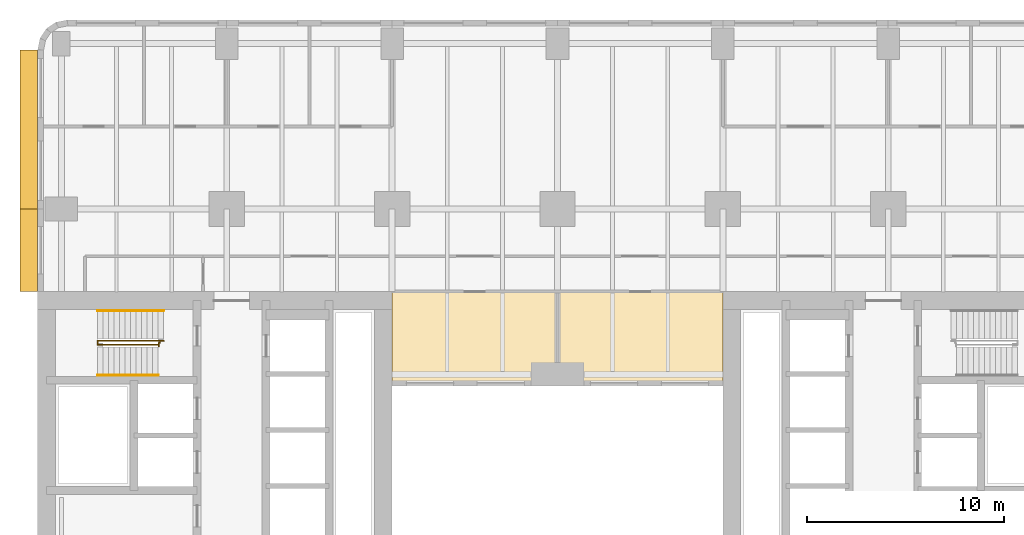
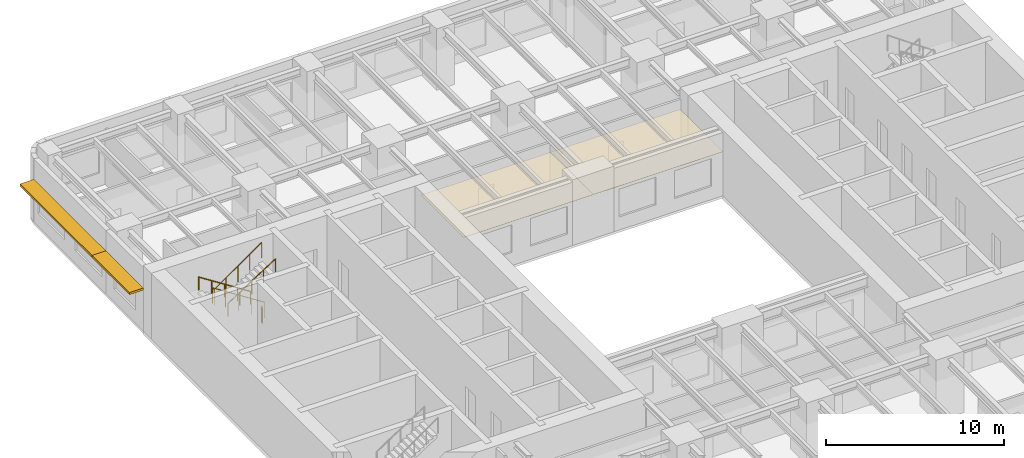
# One storey, part 12 of 14: 4 railings, 2 coverings, 2 shading devices.
"""IFC4 building model written with IfcOpenShell, lengths in metres."""

from ifc_helpers import new_model, si_unit, direction, frame, origin, origin_2d, place, context, subcontext, project, spatial, polyline, rectangle, circle, outline, extrude, material, layer, layer_set, type_object, element, save


model = new_model("IFC4")

# Units and contexts
model_context = context("Model", 3, precision=1e-05, world=origin(), true_north=direction((0.0, 1.0)))
body_context = subcontext(model_context, "Body", "Model", "MODEL_VIEW")
ifc_project = project(units=[si_unit("LENGTHUNIT", "METRE"), si_unit("AREAUNIT", "SQUARE_METRE"), si_unit("VOLUMEUNIT", "CUBIC_METRE"), si_unit("PLANEANGLEUNIT", "RADIAN"), si_unit("MASSUNIT", "GRAM", prefix="KILO")], contexts=[model_context])

# Site, building, storey
site_placement = place(None, origin())
site = spatial("IfcSite", under=ifc_project, at=site_placement, CompositionType="ELEMENT")
building_placement = place(site_placement, origin())
building = spatial("IfcBuilding", under=site, at=building_placement, Name="Claustro Exchange Tower", CompositionType="ELEMENT")
storey_placement = place(building_placement, frame((0.0, 0.0, 27.89990234375)))
storey = spatial("IfcBuildingStorey", under=building, at=storey_placement, Name="L06", CompositionType="ELEMENT", Elevation=27.89990234375)

# Coverings
ifc_material_1 = material(Name="Gypsum board ceiling", Category="gypsum board")
ifc_layer_1 = layer(ifc_material_1, 0.02490234375)
ifc_layer_set_1 = layer_set([ifc_layer_1], Name="Gypsum board ceiling")
covering_type = type_object("IfcCoveringType", Name="CL2 plasterboard ceiling", PredefinedType="CEILING", material=ifc_layer_set_1)
covering_1_placement = place(storey_placement, frame((0.0, 0.0, 3.0)))
element("IfcCovering", 1, at=covering_1_placement, inside=storey, type_object=covering_type, Name="Ceiling CL2 L06-11", PredefinedType="CEILING", context=body_context, shape_type="SweptSolid", body=[
    extrude(outline(polyline([(16.800048828125, 33.0), (25.199951171875, 33.0), (25.199951171875, 37.800048828125), (16.800048828125, 37.800048828125), (16.800048828125, 33.0)])), origin(), (0.0, 0.0, 1.0), 0.025146484375),
])
covering_2_placement = place(storey_placement, frame((0.0, 0.0, 3.0)))
element("IfcCovering", 2, at=covering_2_placement, inside=storey, type_object=covering_type, Name="Ceiling CL2 L06-12", PredefinedType="CEILING", context=body_context, shape_type="SweptSolid", body=[
    extrude(outline(polyline([(33.60009765625, 33.0), (33.60009765625, 37.800048828125), (25.199951171875, 37.800048828125), (25.199951171875, 33.0), (33.60009765625, 33.0)])), origin(), (0.0, 0.0, 1.0), 0.025146484375),
])

# Railings
ifc_material_2 = material(Name="Steel balustrade, painted", Category="steel")
railing_type_1 = type_object("IfcRailingType", Name="GR2 1100 steel stair guard", PredefinedType="GUARDRAIL", material=ifc_material_2)
railing_1_placement = place(storey_placement, frame((5.199951171875, 35.300048828125, 0.18017578125)))
element("IfcRailing", 3, at=railing_1_placement, inside=storey, type_object=railing_type_1, Name="Stair well guard GR2 stair STWB L06", PredefinedType="GUARDRAIL", context=body_context, shape_type="SweptSolid", body=[
    extrude(circle(Radius=0.02392578125, at=origin_2d()), frame((0.0, 0.0, 1.076171875), z_axis=(-0.841178475377, 0.0, 0.540757591313), x_axis=(0.0, -1.0, 0.0)), (0.0, 0.0, 1.0), 3.994140625),
    extrude(circle(Radius=0.02392578125, at=origin_2d()), frame((-3.35986328125, 0.0, 3.23583984375), z_axis=(0.0, -1.0, 0.0), x_axis=(1.0, 0.0, 0.0)), (0.0, 0.0, 1.0), 0.199951171875),
    extrude(circle(Radius=0.02392578125, at=origin_2d()), frame((-3.35986328125, -0.199951171875, 3.23583984375), z_axis=(0.818728512145, 0.0, 0.574180828137), x_axis=(0.0, 1.0, 0.0)), (0.0, 0.0, 1.0), 3.76171875),
    extrude(circle(Radius=0.02099609375, at=origin_2d()), origin(), (0.0, 0.0, 1.0), 1.052001953125),
    extrude(circle(Radius=0.02099609375, at=origin_2d()), frame((-0.83984375, 0.0, 0.5400390625)), (0.0, 0.0, 1.0), 1.052001953125),
    extrude(circle(Radius=0.02099609375, at=origin_2d()), frame((-1.679931640625, 0.0, 1.080078125)), (0.0, 0.0, 1.0), 1.052001953125),
    extrude(circle(Radius=0.02099609375, at=origin_2d()), frame((-2.52001953125, 0.0, 1.619873046875)), (0.0, 0.0, 1.0), 1.052001953125),
    extrude(circle(Radius=0.02099609375, at=origin_2d()), frame((-3.35986328125, 0.0, 2.159912109375)), (0.0, 0.0, 1.0), 1.052001953125),
    extrude(circle(Radius=0.02099609375, at=origin_2d()), frame((-3.35986328125, -0.199951171875, 2.159912109375)), (0.0, 0.0, 1.0), 1.052001953125),
    extrude(circle(Radius=0.02099609375, at=origin_2d()), frame((-2.58984375, -0.199951171875, 2.699951171875)), (0.0, 0.0, 1.0), 1.052001953125),
    extrude(circle(Radius=0.02099609375, at=origin_2d()), frame((-1.81982421875, -0.199951171875, 3.23974609375)), (0.0, 0.0, 1.0), 1.052001953125),
    extrude(circle(Radius=0.02099609375, at=origin_2d()), frame((-1.050048828125, -0.199951171875, 3.77978515625)), (0.0, 0.0, 1.0), 1.052001953125),
    extrude(circle(Radius=0.02099609375, at=origin_2d()), frame((-0.280029296875, -0.199951171875, 4.31982421875)), (0.0, 0.0, 1.0), 1.052001953125),
])
railing_2_placement = place(storey_placement, frame((5.0, 35.22998046875, 0.0)))
element("IfcRailing", 4, at=railing_2_placement, inside=storey, type_object=railing_type_1, Name="Stair guard GR2 STWB L06", PredefinedType="GUARDRAIL", context=body_context, shape_type="SweptSolid", body=[
    extrude(circle(Radius=0.02392578125, at=origin_2d()), frame((0.0, 0.0, 1.076171875), z_axis=(0.0, -1.0, 0.0), x_axis=(1.0, 0.0, 0.0)), (0.0, 0.0, 1.0), 0.030029296875),
    extrude(circle(Radius=0.02392578125, at=origin_2d()), frame((0.0, -0.030029296875, 1.076171875), z_axis=(-1.0, 0.0, 0.0), x_axis=(0.0, -1.0, 0.0)), (0.0, 0.0, 1.0), 0.054931640625),
    extrude(circle(Radius=0.02392578125, at=origin_2d()), frame((-0.054931640625, -0.030029296875, 1.076171875), z_axis=(0.0, -1.0, 0.0), x_axis=(1.0, 0.0, 0.0)), (0.0, 0.0, 1.0), 0.179931640625),
    extrude(circle(Radius=0.02099609375, at=origin_2d()), origin(), (0.0, 0.0, 1.0), 1.052001953125),
    extrude(circle(Radius=0.02099609375, at=origin_2d()), frame((0.0, -0.030029296875, 0.0)), (0.0, 0.0, 1.0), 1.052001953125),
    extrude(circle(Radius=0.02099609375, at=origin_2d()), frame((-0.054931640625, -0.030029296875, 0.0)), (0.0, 0.0, 1.0), 1.052001953125),
    extrude(circle(Radius=0.02099609375, at=origin_2d()), frame((-0.054931640625, -0.2099609375, 0.0)), (0.0, 0.0, 1.0), 1.052001953125),
])
ifc_material_3 = material(Name="Stainless steel tube", Category="steel")
railing_type_2 = type_object("IfcRailingType", Name="HR1 900 stair handrail", PredefinedType="HANDRAIL", material=ifc_material_3)
railing_3_placement = place(storey_placement, frame((5.199951171875, 36.840087890625, 0.18017578125)))
element("IfcRailing", 5, at=railing_3_placement, inside=storey, type_object=railing_type_2, Name="Handrail HR1 stair STWB L06", PredefinedType="HANDRAIL", context=body_context, shape_type="SweptSolid", body=[
    extrude(circle(Radius=0.02392578125, at=origin_2d()), frame((0.0, 0.0, 0.8759765625), z_axis=(-0.841178475377, 0.0, 0.540757591313), x_axis=(0.0, -1.0, 0.0)), (0.0, 0.0, 1.0), 3.994140625),
    extrude(circle(Radius=0.02099609375, at=origin_2d()), origin(), (0.0, 0.0, 1.0), 0.851806640625),
    extrude(circle(Radius=0.02099609375, at=origin_2d()), frame((-0.83984375, 0.0, 0.5400390625)), (0.0, 0.0, 1.0), 0.851806640625),
    extrude(circle(Radius=0.02099609375, at=origin_2d()), frame((-1.679931640625, 0.0, 1.080078125)), (0.0, 0.0, 1.0), 0.851806640625),
    extrude(circle(Radius=0.02099609375, at=origin_2d()), frame((-2.52001953125, 0.0, 1.619873046875)), (0.0, 0.0, 1.0), 0.851806640625),
    extrude(circle(Radius=0.02099609375, at=origin_2d()), frame((-3.35986328125, 0.0, 2.159912109375)), (0.0, 0.0, 1.0), 0.851806640625),
])
railing_4_placement = place(storey_placement, frame((1.840087890625, 33.56005859375, 2.52001953125)))
element("IfcRailing", 6, at=railing_4_placement, inside=storey, type_object=railing_type_2, Name="Handrail HR1 stair STWB L06", PredefinedType="HANDRAIL", context=body_context, shape_type="SweptSolid", body=[
    extrude(circle(Radius=0.02392578125, at=origin_2d()), frame((0.0, 0.0, 0.8759765625), z_axis=(0.841167642724, 0.0, 0.540774441735), x_axis=(0.0, 1.0, 0.0)), (0.0, 0.0, 1.0), 3.661376953125),
    extrude(circle(Radius=0.02099609375, at=origin_2d()), origin(), (0.0, 0.0, 1.0), 0.851806640625),
    extrude(circle(Radius=0.02099609375, at=origin_2d()), frame((0.77001953125, 0.0, 0.4951171875)), (0.0, 0.0, 1.0), 0.851806640625),
    extrude(circle(Radius=0.02099609375, at=origin_2d()), frame((1.5400390625, 0.0, 0.989990234375)), (0.0, 0.0, 1.0), 0.851806640625),
    extrude(circle(Radius=0.02099609375, at=origin_2d()), frame((2.309814453125, 0.0, 1.48486328125)), (0.0, 0.0, 1.0), 0.851806640625),
    extrude(circle(Radius=0.02099609375, at=origin_2d()), frame((3.079833984375, 0.0, 1.97998046875)), (0.0, 0.0, 1.0), 0.851806640625),
])

# Shading devices
ifc_material_4 = material(Name="Concrete HA-40 (C40/50), precast, white cement, acid-etched", Category="concrete")
ifc_layer_2 = layer(ifc_material_4, 0.14990234375)
ifc_layer_set_2 = layer_set([ifc_layer_2], Name="Concrete HA-40 (C40/50), precast, white cement, acid-etched")
shading_device_type = type_object("IfcShadingDeviceType", Name="SS2 900 precast concrete SUNSHADE", PredefinedType="SHUTTER", material=ifc_layer_set_2)
shading_device_1_placement = place(storey_placement, frame((-1.64990234375, 39.89990234375, 2.800048828125), z_axis=(0.0, 0.0, 1.0), x_axis=(0.0, 1.0, 0.0)))
element("IfcShadingDevice", 7, at=shading_device_1_placement, inside=storey, type_object=shading_device_type, Name="Precast SUNSHADE SS2 L06", PredefinedType="SHUTTER", context=body_context, shape_type="SweptSolid", body=[
    extrude(rectangle(XDim=4.199951171875, YDim=0.89990234375, at=origin_2d()), origin(), (0.0, 0.0, 1.0), 0.14990234375),
])
shading_device_2_placement = place(storey_placement, frame((-1.64990234375, 46.04248046875, 2.800048828125), z_axis=(0.0, 0.0, 1.0), x_axis=(0.0, 1.0, 0.0)))
element("IfcShadingDevice", 8, at=shading_device_2_placement, inside=storey, type_object=shading_device_type, Name="Precast SUNSHADE SS2 L06", PredefinedType="SHUTTER", context=body_context, shape_type="SweptSolid", body=[
    extrude(rectangle(XDim=8.085205078125, YDim=0.89990234375, at=origin_2d()), origin(), (0.0, 0.0, 1.0), 0.14990234375),
])

save(model, "model.ifc")
